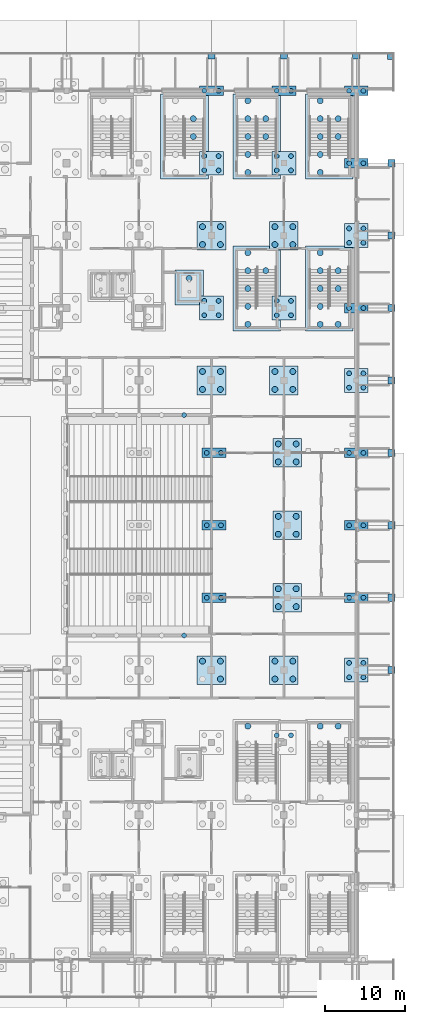
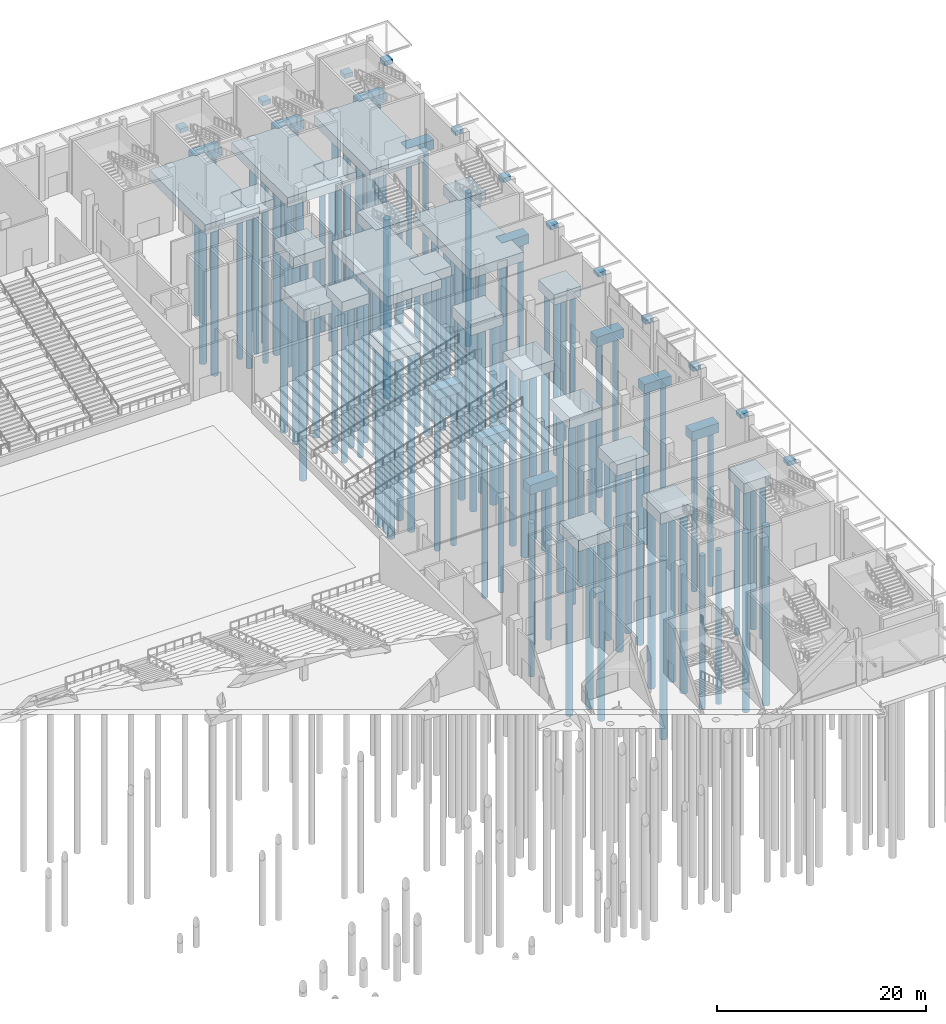
# One storey, part 6 of 129: 123 piles, 45 footings.
"""IFC4 building model written with IfcOpenShell, lengths in metres."""

from ifc_helpers import new_model, si_unit, direction, frame, origin, origin_2d, place, context, subcontext, project, spatial, polyline, rectangle, circle, outline, extrude, material, material_profile, profile_set, type_object, element, save


model = new_model("IFC4")

# Units and contexts
model_context = context("Model", 3, precision=1e-05, world=origin(), true_north=direction((0.0, 1.0)))
body_context = subcontext(model_context, "Body", "Model", "MODEL_VIEW")
ifc_project = project(units=[si_unit("LENGTHUNIT", "METRE"), si_unit("AREAUNIT", "SQUARE_METRE"), si_unit("VOLUMEUNIT", "CUBIC_METRE"), si_unit("PLANEANGLEUNIT", "RADIAN"), si_unit("MASSUNIT", "GRAM", prefix="KILO")], contexts=[model_context])

# Site, building, storey
site_placement = place(None, origin())
site = spatial("IfcSite", under=ifc_project, at=site_placement, CompositionType="ELEMENT")
building_placement = place(site_placement, origin())
building = spatial("IfcBuilding", under=site, at=building_placement, Name="Shirokan Park Arena", CompositionType="ELEMENT")
storey_placement = place(building_placement, origin())
storey = spatial("IfcBuildingStorey", under=building, at=storey_placement, Name="L00", CompositionType="ELEMENT", Elevation=0.0)

# Piles
ifc_material = material(Name="Concrete C30", Category="concrete")
ifc_material_profile_1 = material_profile(ifc_material, circle(Radius=0.300048828125, at=origin_2d()), Name="D600")
ifc_profile_set_1 = profile_set([ifc_material_profile_1], Name="Concrete C30")
pile_type_1 = type_object("IfcPileType", Name="Bored pile 600", PredefinedType="BORED", material=ifc_profile_set_1)
for number, where, z_axis, x_axis, name in (
    (1, (126.800048828125, 45.5, -1.5), (0.0, 0.0, -1.0), (1.0, 0.0, 0.0), "Bored pile 15F 1"),
    (2, (128.60009765625, 45.5, -1.5), (0.0, 0.0, -1.0), (1.0, 0.0, 0.0), "Bored pile 15F 2"),
    (3, (126.800048828125, 54.60009765625, -1.5), (0.0, 0.0, -1.0), (1.0, 0.0, 0.0), "Bored pile 15G 1"),
    (4, (128.60009765625, 54.60009765625, -1.5), (0.0, 0.0, -1.0), (1.0, 0.0, 0.0), "Bored pile 15G 2"),
    (5, (126.800048828125, 63.699951171875, -1.5), (0.0, 0.0, -1.0), (1.0, 0.0, 0.0), "Bored pile 15H 1"),
    (6, (128.60009765625, 63.699951171875, -1.5), (0.0, 0.0, -1.0), (1.0, 0.0, 0.0), "Bored pile 15H 2"),
    (7, (126.5, 81.0, -1.60009765625), (0.0, 0.0, -1.0), (1.0, 0.0, 0.0), "Bored pile 15K 1"),
    (8, (126.5, 82.800048828125, -1.60009765625), (0.0, 0.0, -1.0), (1.0, 0.0, 0.0), "Bored pile 15K 2"),
    (9, (128.300048828125, 81.0, -1.60009765625), (0.0, 0.0, -1.0), (1.0, 0.0, 0.0), "Bored pile 15K 3"),
    (10, (128.300048828125, 82.800048828125, -1.60009765625), (0.0, 0.0, -1.0), (1.0, 0.0, 0.0), "Bored pile 15K 4"),
    (11, (126.5, 99.199951171875, -1.60009765625), (0.0, 0.0, -1.0), (1.0, 0.0, 0.0), "Bored pile 15M 1"),
    (12, (126.5, 101.0, -1.60009765625), (0.0, 0.0, -1.0), (1.0, 0.0, 0.0), "Bored pile 15M 2"),
    (13, (128.300048828125, 99.199951171875, -1.60009765625), (0.0, 0.0, -1.0), (1.0, 0.0, 0.0), "Bored pile 15M 3"),
    (14, (128.300048828125, 101.0, -1.60009765625), (0.0, 0.0, -1.0), (1.0, 0.0, 0.0), "Bored pile 15M 4"),
    (15, (126.5, 109.199951171875, -1.5), (0.0, 0.0, -1.0), (1.0, 0.0, 0.0), "Bored pile 15N 1"),
    (16, (128.300048828125, 109.199951171875, -1.5), (0.0, 0.0, -1.0), (1.0, 0.0, 0.0), "Bored pile 15N 2"),
    (17, (135.60009765625, 28.199951171875, -1.60009765625), (0.0, 0.0, -1.0), (1.0, 0.0, 0.0), "Bored pile 16D 2"),
    (18, (137.39990234375, 28.199951171875, -1.60009765625), (0.0, 0.0, -1.0), (1.0, 0.0, 0.0), "Bored pile 16D 4"),
    (19, (135.60009765625, 81.0, -1.60009765625), (0.0, 0.0, -1.0), (1.0, 0.0, 0.0), "Bored pile 16K 1"),
    (20, (135.60009765625, 82.800048828125, -1.60009765625), (0.0, 0.0, -1.0), (1.0, 0.0, 0.0), "Bored pile 16K 2"),
    (21, (137.39990234375, 81.0, -1.60009765625), (0.0, 0.0, -1.0), (1.0, 0.0, 0.0), "Bored pile 16K 3"),
    (22, (137.39990234375, 82.800048828125, -1.60009765625), (0.0, 0.0, -1.0), (1.0, 0.0, 0.0), "Bored pile 16K 4"),
    (23, (135.60009765625, 99.199951171875, -1.60009765625), (0.0, 0.0, -1.0), (1.0, 0.0, 0.0), "Bored pile 16M 1"),
    (24, (135.60009765625, 101.0, -1.60009765625), (0.0, 0.0, -1.0), (1.0, 0.0, 0.0), "Bored pile 16M 2"),
    (25, (137.39990234375, 99.199951171875, -1.60009765625), (0.0, 0.0, -1.0), (1.0, 0.0, 0.0), "Bored pile 16M 3"),
    (26, (137.39990234375, 101.0, -1.60009765625), (0.0, 0.0, -1.0), (1.0, 0.0, 0.0), "Bored pile 16M 4"),
    (27, (135.60009765625, 109.199951171875, -1.5), (0.0, 0.0, -1.0), (1.0, 0.0, 0.0), "Bored pile 16N 1"),
    (28, (137.39990234375, 109.199951171875, -1.5), (0.0, 0.0, -1.0), (1.0, 0.0, 0.0), "Bored pile 16N 2"),
    (29, (144.699951171875, 35.5, -1.60009765625), (0.0, 0.0, -1.0), (1.0, 0.0, 0.0), "Bored pile 17E 1"),
    (30, (144.699951171875, 37.300048828125, -1.60009765625), (0.0, 0.0, -1.0), (1.0, 0.0, 0.0), "Bored pile 17E 2"),
    (31, (146.5, 35.5, -1.60009765625), (0.0, 0.0, -1.0), (1.0, 0.0, 0.0), "Bored pile 17E 3"),
    (32, (146.5, 37.300048828125, -1.60009765625), (0.0, 0.0, -1.0), (1.0, 0.0, 0.0), "Bored pile 17E 4"),
    (33, (144.699951171875, 45.5, -1.5), (0.0, 0.0, -1.0), (1.0, 0.0, 0.0), "Bored pile 17F 1"),
    (34, (146.5, 45.5, -1.5), (0.0, 0.0, -1.0), (1.0, 0.0, 0.0), "Bored pile 17F 2"),
    (35, (144.699951171875, 54.60009765625, -1.5), (0.0, 0.0, -1.0), (1.0, 0.0, 0.0), "Bored pile 17G 1"),
    (36, (146.5, 54.60009765625, -1.5), (0.0, 0.0, -1.0), (1.0, 0.0, 0.0), "Bored pile 17G 2"),
    (37, (144.699951171875, 63.699951171875, -1.5), (0.0, 0.0, -1.0), (1.0, 0.0, 0.0), "Bored pile 17H 1"),
    (38, (146.5, 63.699951171875, -1.5), (0.0, 0.0, -1.0), (1.0, 0.0, 0.0), "Bored pile 17H 2"),
    (39, (144.699951171875, 71.89990234375, -1.60009765625), (0.0, 0.0, -1.0), (1.0, 0.0, 0.0), "Bored pile 17J 1"),
    (40, (144.699951171875, 73.699951171875, -1.60009765625), (0.0, 0.0, -1.0), (1.0, 0.0, 0.0), "Bored pile 17J 2"),
    (41, (146.5, 71.89990234375, -1.60009765625), (0.0, 0.0, -1.0), (1.0, 0.0, 0.0), "Bored pile 17J 3"),
    (42, (146.5, 73.699951171875, -1.60009765625), (0.0, 0.0, -1.0), (1.0, 0.0, 0.0), "Bored pile 17J 4"),
    (43, (144.699951171875, 81.89990234375, -1.5), (0.0, 0.0, -1.0), (1.0, 0.0, 0.0), "Bored pile 17K 1"),
    (44, (146.5, 81.89990234375, -1.5), (0.0, 0.0, -1.0), (1.0, 0.0, 0.0), "Bored pile 17K 2"),
    (45, (144.699951171875, 90.10009765625, -1.60009765625), (0.0, 0.0, -1.0), (1.0, 0.0, 0.0), "Bored pile 17L 1"),
    (46, (144.699951171875, 91.89990234375, -1.60009765625), (0.0, 0.0, -1.0), (1.0, 0.0, 0.0), "Bored pile 17L 2"),
    (47, (146.5, 90.10009765625, -1.60009765625), (0.0, 0.0, -1.0), (1.0, 0.0, 0.0), "Bored pile 17L 3"),
    (48, (146.5, 91.89990234375, -1.60009765625), (0.0, 0.0, -1.0), (1.0, 0.0, 0.0), "Bored pile 17L 4"),
    (49, (144.699951171875, 100.10009765625, -1.5), (0.0, 0.0, -1.0), (1.0, 0.0, 0.0), "Bored pile 17M 1"),
    (50, (146.5, 100.10009765625, -1.5), (0.0, 0.0, -1.0), (1.0, 0.0, 0.0), "Bored pile 17M 2"),
    (51, (144.699951171875, 109.199951171875, -1.5), (0.0, 0.0, -1.0), (1.0, 0.0, 0.0), "Bored pile 17N 1"),
    (52, (146.5, 109.199951171875, -1.5), (0.0, 0.0, -1.0), (1.0, 0.0, 0.0), "Bored pile 17N 2"),
    (53, (123.966552734375, 40.75, -1.300048828125), (0.0, 0.0, -1.0), (1.0, 0.0, 0.0), "Bored pile flank wall E1 5"),
    (54, (123.966552734375, 68.449951171875, -1.300048828125), (0.0, 0.0, -1.0), (1.0, 0.0, 0.0), "Bored pile flank wall E2 5"),
):
    element("IfcPile", number, at=place(storey_placement, frame(where, z_axis=z_axis, x_axis=x_axis)), inside=storey, type_object=pile_type_1, Name=name, PredefinedType="BORED", context=body_context, shape_type="SweptSolid", body=[
        extrude(circle(Radius=0.300048828125, at=origin_2d()), origin(), (0.0, 0.0, 1.0), 18.0),
    ])
ifc_material_profile_2 = material_profile(ifc_material, circle(Radius=0.375, at=origin_2d()), Name="D750")
ifc_profile_set_2 = profile_set([ifc_material_profile_2], Name="Concrete C30")
pile_type_2 = type_object("IfcPileType", Name="Bored pile 750", PredefinedType="BORED", material=ifc_profile_set_2)
for number, where, z_axis, x_axis, name in (
    (55, (126.27490234375, 37.52490234375, -1.699951171875), (0.0, 0.0, -1.0), (1.0, 0.0, 0.0), "Bored pile 15E 2"),
    (56, (128.52490234375, 35.27490234375, -1.699951171875), (0.0, 0.0, -1.0), (1.0, 0.0, 0.0), "Bored pile 15E 3"),
    (57, (128.52490234375, 37.52490234375, -1.699951171875), (0.0, 0.0, -1.0), (1.0, 0.0, 0.0), "Bored pile 15E 4"),
    (58, (126.27490234375, 71.675048828125, -1.699951171875), (0.0, 0.0, -1.0), (1.0, 0.0, 0.0), "Bored pile 15J 1"),
    (59, (126.27490234375, 73.925048828125, -1.699951171875), (0.0, 0.0, -1.0), (1.0, 0.0, 0.0), "Bored pile 15J 2"),
    (60, (128.52490234375, 71.675048828125, -1.699951171875), (0.0, 0.0, -1.0), (1.0, 0.0, 0.0), "Bored pile 15J 3"),
    (61, (128.52490234375, 73.925048828125, -1.699951171875), (0.0, 0.0, -1.0), (1.0, 0.0, 0.0), "Bored pile 15J 4"),
    (62, (126.27490234375, 89.875, -1.699951171875), (0.0, 0.0, -1.0), (1.0, 0.0, 0.0), "Bored pile 15L 1"),
    (63, (126.27490234375, 92.125, -1.699951171875), (0.0, 0.0, -1.0), (1.0, 0.0, 0.0), "Bored pile 15L 2"),
    (64, (128.52490234375, 89.875, -1.699951171875), (0.0, 0.0, -1.0), (1.0, 0.0, 0.0), "Bored pile 15L 3"),
    (65, (128.52490234375, 92.125, -1.699951171875), (0.0, 0.0, -1.0), (1.0, 0.0, 0.0), "Bored pile 15L 4"),
    (66, (135.375, 35.27490234375, -1.699951171875), (0.0, 0.0, -1.0), (1.0, 0.0, 0.0), "Bored pile 16E 1"),
    (67, (135.375, 37.52490234375, -1.699951171875), (0.0, 0.0, -1.0), (1.0, 0.0, 0.0), "Bored pile 16E 2"),
    (68, (137.625, 35.27490234375, -1.699951171875), (0.0, 0.0, -1.0), (1.0, 0.0, 0.0), "Bored pile 16E 3"),
    (69, (137.625, 37.52490234375, -1.699951171875), (0.0, 0.0, -1.0), (1.0, 0.0, 0.0), "Bored pile 16E 4"),
    (70, (135.800048828125, 44.375, -1.699951171875), (0.0, 0.0, -1.0), (1.0, 0.0, 0.0), "Bored pile 16F 1"),
    (71, (135.800048828125, 46.625, -1.699951171875), (0.0, 0.0, -1.0), (1.0, 0.0, 0.0), "Bored pile 16F 2"),
    (72, (138.050048828125, 44.375, -1.699951171875), (0.0, 0.0, -1.0), (1.0, 0.0, 0.0), "Bored pile 16F 3"),
    (73, (138.050048828125, 46.625, -1.699951171875), (0.0, 0.0, -1.0), (1.0, 0.0, 0.0), "Bored pile 16F 4"),
    (74, (135.800048828125, 53.47509765625, -1.699951171875), (0.0, 0.0, -1.0), (1.0, 0.0, 0.0), "Bored pile 16G 1"),
    (75, (135.800048828125, 55.72509765625, -1.699951171875), (0.0, 0.0, -1.0), (1.0, 0.0, 0.0), "Bored pile 16G 2"),
    (76, (138.050048828125, 53.47509765625, -1.699951171875), (0.0, 0.0, -1.0), (1.0, 0.0, 0.0), "Bored pile 16G 3"),
    (77, (138.050048828125, 55.72509765625, -1.699951171875), (0.0, 0.0, -1.0), (1.0, 0.0, 0.0), "Bored pile 16G 4"),
    (78, (135.800048828125, 62.574951171875, -1.699951171875), (0.0, 0.0, -1.0), (1.0, 0.0, 0.0), "Bored pile 16H 1"),
    (79, (135.800048828125, 64.824951171875, -1.699951171875), (0.0, 0.0, -1.0), (1.0, 0.0, 0.0), "Bored pile 16H 2"),
    (80, (138.050048828125, 62.574951171875, -1.699951171875), (0.0, 0.0, -1.0), (1.0, 0.0, 0.0), "Bored pile 16H 3"),
    (81, (138.050048828125, 64.824951171875, -1.699951171875), (0.0, 0.0, -1.0), (1.0, 0.0, 0.0), "Bored pile 16H 4"),
    (82, (135.375, 71.675048828125, -1.699951171875), (0.0, 0.0, -1.0), (1.0, 0.0, 0.0), "Bored pile 16J 1"),
    (83, (135.375, 73.925048828125, -1.699951171875), (0.0, 0.0, -1.0), (1.0, 0.0, 0.0), "Bored pile 16J 2"),
    (84, (137.625, 71.675048828125, -1.699951171875), (0.0, 0.0, -1.0), (1.0, 0.0, 0.0), "Bored pile 16J 3"),
    (85, (137.625, 73.925048828125, -1.699951171875), (0.0, 0.0, -1.0), (1.0, 0.0, 0.0), "Bored pile 16J 4"),
    (86, (135.375, 89.875, -1.699951171875), (0.0, 0.0, -1.0), (1.0, 0.0, 0.0), "Bored pile 16L 1"),
    (87, (135.375, 92.125, -1.699951171875), (0.0, 0.0, -1.0), (1.0, 0.0, 0.0), "Bored pile 16L 2"),
    (88, (137.625, 89.875, -1.699951171875), (0.0, 0.0, -1.0), (1.0, 0.0, 0.0), "Bored pile 16L 3"),
    (89, (137.625, 92.125, -1.699951171875), (0.0, 0.0, -1.0), (1.0, 0.0, 0.0), "Bored pile 16L 4"),
    (90, (124.60009765625, 85.625, -2.800048828125), (0.0, 0.0, -1.0), (1.0, 0.0, 0.0), "Bored pile Service Lift 3 1"),
    (91, (141.074951171875, 29.35009765625, -1.5), (0.0, 0.0, -1.0), (1.0, 0.0, 0.0), "Bored pile Exit Stair 2.E 5"),
    (92, (143.324951171875, 29.35009765625, -1.5), (0.0, 0.0, -1.0), (1.0, 0.0, 0.0), "Bored pile Exit Stair 2.E 8"),
    (93, (131.97509765625, 29.35009765625, -1.5), (0.0, 0.0, -1.0), (1.0, 0.0, 0.0), "Bored pile Exit Stair 2.F 5"),
    (94, (141.074951171875, 98.949951171875, -1.5), (0.0, 0.0, -1.0), (1.0, 0.0, 0.0), "Bored pile Exit Stair 3.A 1"),
    (95, (141.074951171875, 101.199951171875, -1.5), (0.0, 0.0, -1.0), (1.0, 0.0, 0.0), "Bored pile Exit Stair 3.A 2"),
    (96, (141.074951171875, 103.449951171875, -1.5), (0.0, 0.0, -1.0), (1.0, 0.0, 0.0), "Bored pile Exit Stair 3.A 3"),
    (97, (141.074951171875, 105.699951171875, -1.5), (0.0, 0.0, -1.0), (1.0, 0.0, 0.0), "Bored pile Exit Stair 3.A 4"),
    (98, (141.074951171875, 107.949951171875, -1.5), (0.0, 0.0, -1.0), (1.0, 0.0, 0.0), "Bored pile Exit Stair 3.A 5"),
    (99, (143.324951171875, 103.449951171875, -1.5), (0.0, 0.0, -1.0), (1.0, 0.0, 0.0), "Bored pile Exit Stair 3.A 6"),
    (100, (143.324951171875, 105.699951171875, -1.5), (0.0, 0.0, -1.0), (1.0, 0.0, 0.0), "Bored pile Exit Stair 3.A 7"),
    (101, (131.97509765625, 98.949951171875, -1.5), (0.0, 0.0, -1.0), (1.0, 0.0, 0.0), "Bored pile Exit Stair 3.B 1"),
    (102, (131.97509765625, 101.199951171875, -1.5), (0.0, 0.0, -1.0), (1.0, 0.0, 0.0), "Bored pile Exit Stair 3.B 2"),
    (103, (131.97509765625, 103.449951171875, -1.5), (0.0, 0.0, -1.0), (1.0, 0.0, 0.0), "Bored pile Exit Stair 3.B 3"),
    (104, (131.97509765625, 105.699951171875, -1.5), (0.0, 0.0, -1.0), (1.0, 0.0, 0.0), "Bored pile Exit Stair 3.B 4"),
    (105, (131.97509765625, 107.949951171875, -1.5), (0.0, 0.0, -1.0), (1.0, 0.0, 0.0), "Bored pile Exit Stair 3.B 5"),
    (106, (134.22509765625, 103.449951171875, -1.5), (0.0, 0.0, -1.0), (1.0, 0.0, 0.0), "Bored pile Exit Stair 3.B 6"),
    (107, (134.22509765625, 105.699951171875, -1.5), (0.0, 0.0, -1.0), (1.0, 0.0, 0.0), "Bored pile Exit Stair 3.B 7"),
    (108, (125.125, 103.449951171875, -1.5), (0.0, 0.0, -1.0), (1.0, 0.0, 0.0), "Bored pile Exit Stair 3.C 6"),
    (109, (125.125, 105.699951171875, -1.5), (0.0, 0.0, -1.0), (1.0, 0.0, 0.0), "Bored pile Exit Stair 3.C 7"),
    (110, (141.074951171875, 79.85009765625, -1.5), (0.0, 0.0, -1.0), (1.0, 0.0, 0.0), "Bored pile Exit Stair 3.E 1"),
    (111, (141.074951171875, 82.10009765625, -1.5), (0.0, 0.0, -1.0), (1.0, 0.0, 0.0), "Bored pile Exit Stair 3.E 2"),
    (112, (141.074951171875, 84.35009765625, -1.5), (0.0, 0.0, -1.0), (1.0, 0.0, 0.0), "Bored pile Exit Stair 3.E 3"),
    (113, (141.074951171875, 86.60009765625, -1.5), (0.0, 0.0, -1.0), (1.0, 0.0, 0.0), "Bored pile Exit Stair 3.E 4"),
    (114, (141.074951171875, 88.85009765625, -1.5), (0.0, 0.0, -1.0), (1.0, 0.0, 0.0), "Bored pile Exit Stair 3.E 5"),
    (115, (143.324951171875, 79.85009765625, -1.5), (0.0, 0.0, -1.0), (1.0, 0.0, 0.0), "Bored pile Exit Stair 3.E 6"),
    (116, (143.324951171875, 84.35009765625, -1.5), (0.0, 0.0, -1.0), (1.0, 0.0, 0.0), "Bored pile Exit Stair 3.E 7"),
    (117, (143.324951171875, 86.60009765625, -1.5), (0.0, 0.0, -1.0), (1.0, 0.0, 0.0), "Bored pile Exit Stair 3.E 8"),
    (118, (131.97509765625, 79.85009765625, -1.5), (0.0, 0.0, -1.0), (1.0, 0.0, 0.0), "Bored pile Exit Stair 3.F 1"),
    (119, (131.97509765625, 82.10009765625, -1.5), (0.0, 0.0, -1.0), (1.0, 0.0, 0.0), "Bored pile Exit Stair 3.F 2"),
    (120, (131.97509765625, 84.35009765625, -1.5), (0.0, 0.0, -1.0), (1.0, 0.0, 0.0), "Bored pile Exit Stair 3.F 3"),
    (121, (131.97509765625, 86.60009765625, -1.5), (0.0, 0.0, -1.0), (1.0, 0.0, 0.0), "Bored pile Exit Stair 3.F 4"),
    (122, (131.97509765625, 88.85009765625, -1.5), (0.0, 0.0, -1.0), (1.0, 0.0, 0.0), "Bored pile Exit Stair 3.F 5"),
    (123, (134.22509765625, 86.60009765625, -1.5), (0.0, 0.0, -1.0), (1.0, 0.0, 0.0), "Bored pile Exit Stair 3.F 6"),
):
    element("IfcPile", number, at=place(storey_placement, frame(where, z_axis=z_axis, x_axis=x_axis)), inside=storey, type_object=pile_type_2, Name=name, PredefinedType="BORED", context=body_context, shape_type="SweptSolid", body=[
        extrude(circle(Radius=0.375, at=origin_2d()), origin(), (0.0, 0.0, 1.0), 21.0),
    ])

# Footings
footing_type_1 = type_object("IfcFootingType", Name="Pad footing 900x900x500", PredefinedType="PAD_FOOTING", material=ifc_material)
for number, where, z_axis, x_axis, name in (
    (124, (150.02490234375, 36.39990234375, -0.89990234375), (0.0, 0.0, 1.0), (1.0, 0.0, 0.0), "Pad footing east grid 5"),
    (125, (150.02490234375, 45.5, -0.89990234375), (0.0, 0.0, 1.0), (1.0, 0.0, 0.0), "Pad footing east grid 6"),
    (126, (150.02490234375, 54.60009765625, -0.89990234375), (0.0, 0.0, 1.0), (1.0, 0.0, 0.0), "Pad footing east grid 7"),
    (127, (150.02490234375, 63.699951171875, -0.89990234375), (0.0, 0.0, 1.0), (1.0, 0.0, 0.0), "Pad footing east grid 8"),
    (128, (150.02490234375, 72.800048828125, -0.89990234375), (0.0, 0.0, 1.0), (1.0, 0.0, 0.0), "Pad footing east grid 9"),
    (129, (150.02490234375, 81.89990234375, -0.89990234375), (0.0, 0.0, 1.0), (1.0, 0.0, 0.0), "Pad footing east grid 10"),
    (130, (150.02490234375, 91.0, -0.89990234375), (0.0, 0.0, 1.0), (1.0, 0.0, 0.0), "Pad footing east grid 11"),
    (131, (150.02490234375, 100.10009765625, -0.89990234375), (0.0, 0.0, 1.0), (1.0, 0.0, 0.0), "Pad footing east grid 12"),
    (132, (145.60009765625, 113.625, -0.89990234375), (0.0, 0.0, 1.0), (1.0, 0.0, 0.0), "Pad footing north grid 1"),
    (133, (136.5, 113.625, -0.89990234375), (0.0, 0.0, 1.0), (1.0, 0.0, 0.0), "Pad footing north grid 2"),
    (134, (127.39990234375, 113.625, -0.89990234375), (0.0, 0.0, 1.0), (1.0, 0.0, 0.0), "Pad footing north grid 3"),
    (135, (149.97509765625, 113.574951171875, -0.89990234375), (0.0, 0.0, 1.0), (1.0, 0.0, 0.0), "Pad footing NE corner"),
):
    element("IfcFooting", number, at=place(storey_placement, frame(where, z_axis=z_axis, x_axis=x_axis)), inside=storey, type_object=footing_type_1, Name=name, PredefinedType="PAD_FOOTING", context=body_context, shape_type="SweptSolid", body=[
        extrude(rectangle(XDim=0.89990234375, YDim=0.89990234375, at=origin_2d()), origin(), (0.0, 0.0, 1.0), 0.5),
    ])
footing_type_2 = type_object("IfcFootingType", Name="Pile cap 2-pile 3000x1200x1100", PredefinedType="PILE_CAP", material=ifc_material)
for number, where, z_axis, x_axis, name in (
    (136, (127.699951171875, 45.5, -1.5), (0.0, 0.0, 1.0), (1.0, 0.0, 0.0), "Pile cap 15F"),
    (137, (127.699951171875, 54.60009765625, -1.5), (0.0, 0.0, 1.0), (1.0, 0.0, 0.0), "Pile cap 15G"),
    (138, (127.699951171875, 63.699951171875, -1.5), (0.0, 0.0, 1.0), (1.0, 0.0, 0.0), "Pile cap 15H"),
    (139, (127.39990234375, 109.199951171875, -1.5), (0.0, 0.0, 1.0), (1.0, 0.0, 0.0), "Pile cap 15N"),
    (140, (136.5, 109.199951171875, -1.5), (0.0, 0.0, 1.0), (1.0, 0.0, 0.0), "Pile cap 16N"),
    (141, (145.60009765625, 45.5, -1.5), (0.0, 0.0, 1.0), (1.0, 0.0, 0.0), "Pile cap 17F"),
    (142, (145.60009765625, 54.60009765625, -1.5), (0.0, 0.0, 1.0), (1.0, 0.0, 0.0), "Pile cap 17G"),
    (143, (145.60009765625, 63.699951171875, -1.5), (0.0, 0.0, 1.0), (1.0, 0.0, 0.0), "Pile cap 17H"),
    (144, (145.60009765625, 81.89990234375, -1.5), (0.0, 0.0, 1.0), (1.0, 0.0, 0.0), "Pile cap 17K"),
    (145, (145.60009765625, 100.10009765625, -1.5), (0.0, 0.0, 1.0), (1.0, 0.0, 0.0), "Pile cap 17M"),
    (146, (145.60009765625, 109.199951171875, -1.5), (0.0, 0.0, 1.0), (1.0, 0.0, 0.0), "Pile cap 17N"),
):
    element("IfcFooting", number, at=place(storey_placement, frame(where, z_axis=z_axis, x_axis=x_axis)), inside=storey, type_object=footing_type_2, Name=name, PredefinedType="PILE_CAP", context=body_context, shape_type="SweptSolid", body=[
        extrude(rectangle(XDim=3.0, YDim=1.199951171875, at=origin_2d()), origin(), (0.0, 0.0, 1.0), 1.10009765625),
    ])
footing_type_3 = type_object("IfcFootingType", Name="Pile cap 4-pile 3000x3000x1200", PredefinedType="PILE_CAP", material=ifc_material)
for number, where, z_axis, x_axis, name in (
    (147, (127.39990234375, 81.89990234375, -1.60009765625), (0.0, 0.0, 1.0), (1.0, 0.0, 0.0), "Pile cap 15K"),
    (148, (127.39990234375, 100.10009765625, -1.60009765625), (0.0, 0.0, 1.0), (1.0, 0.0, 0.0), "Pile cap 15M"),
    (149, (136.5, 81.89990234375, -1.60009765625), (0.0, 0.0, 1.0), (1.0, 0.0, 0.0), "Pile cap 16K"),
    (150, (136.5, 100.10009765625, -1.60009765625), (0.0, 0.0, 1.0), (1.0, 0.0, 0.0), "Pile cap 16M"),
    (151, (145.60009765625, 36.39990234375, -1.60009765625), (0.0, 0.0, 1.0), (1.0, 0.0, 0.0), "Pile cap 17E"),
    (152, (145.60009765625, 72.800048828125, -1.60009765625), (0.0, 0.0, 1.0), (1.0, 0.0, 0.0), "Pile cap 17J"),
    (153, (145.60009765625, 91.0, -1.60009765625), (0.0, 0.0, 1.0), (1.0, 0.0, 0.0), "Pile cap 17L"),
):
    element("IfcFooting", number, at=place(storey_placement, frame(where, z_axis=z_axis, x_axis=x_axis)), inside=storey, type_object=footing_type_3, Name=name, PredefinedType="PILE_CAP", context=body_context, shape_type="SweptSolid", body=[
        extrude(rectangle(XDim=3.0, YDim=3.0, at=origin_2d()), origin(), (0.0, 0.0, 1.0), 1.199951171875),
    ])
footing_type_4 = type_object("IfcFootingType", Name="Pile cap 4-pile 3600x3600x1300", PredefinedType="PILE_CAP", material=ifc_material)
for number, where, z_axis, x_axis, name in (
    (154, (127.39990234375, 36.39990234375, -1.7001953125), (0.0, 0.0, 1.0), (1.0, 0.0, 0.0), "Pile cap 15E"),
    (155, (127.39990234375, 72.800048828125, -1.7001953125), (0.0, 0.0, 1.0), (1.0, 0.0, 0.0), "Pile cap 15J"),
    (156, (127.39990234375, 91.0, -1.7001953125), (0.0, 0.0, 1.0), (1.0, 0.0, 0.0), "Pile cap 15L"),
    (157, (136.5, 36.39990234375, -1.7001953125), (0.0, 0.0, 1.0), (1.0, 0.0, 0.0), "Pile cap 16E"),
    (158, (136.925048828125, 45.5, -1.7001953125), (0.0, 0.0, 1.0), (1.0, 0.0, 0.0), "Pile cap 16F"),
    (159, (136.925048828125, 54.60009765625, -1.7001953125), (0.0, 0.0, 1.0), (1.0, 0.0, 0.0), "Pile cap 16G"),
    (160, (136.925048828125, 63.699951171875, -1.7001953125), (0.0, 0.0, 1.0), (1.0, 0.0, 0.0), "Pile cap 16H"),
    (161, (136.5, 72.800048828125, -1.7001953125), (0.0, 0.0, 1.0), (1.0, 0.0, 0.0), "Pile cap 16J"),
    (162, (136.5, 91.0, -1.7001953125), (0.0, 0.0, 1.0), (1.0, 0.0, 0.0), "Pile cap 16L"),
):
    element("IfcFooting", number, at=place(storey_placement, frame(where, z_axis=z_axis, x_axis=x_axis)), inside=storey, type_object=footing_type_4, Name=name, PredefinedType="PILE_CAP", context=body_context, shape_type="SweptSolid", body=[
        extrude(rectangle(XDim=3.60009765625, YDim=3.60009765625, at=origin_2d()), origin(), (0.0, 0.0, 1.0), 1.300048828125),
    ])
footing_type_5 = type_object("IfcFootingType", Name="Shaft raft 1100", PredefinedType="PILE_CAP", material=ifc_material)
footing_1_placement = place(storey_placement, frame((0.0, 0.0, -1.5)))
element("IfcFooting", 163, at=footing_1_placement, inside=storey, type_object=footing_type_5, Name="Shaft raft Exit Stair 3.A", PredefinedType="PILE_CAP", context=body_context, shape_type="SweptSolid", body=[
    extrude(outline(polyline([(145.199951171875, 98.10009765625), (139.199951171875, 98.10009765625), (139.199951171875, 108.800048828125), (144.10009765625, 108.800048828125), (144.10009765625, 108.60009765625), (145.199951171875, 108.60009765625), (145.199951171875, 100.699951171875), (144.10009765625, 100.699951171875), (144.10009765625, 99.5), (145.199951171875, 99.5), (145.199951171875, 98.10009765625)])), origin(), (0.0, 0.0, 1.0), 1.10009765625),
])
footing_2_placement = place(storey_placement, frame((0.0, 0.0, -1.5)))
element("IfcFooting", 164, at=footing_2_placement, inside=storey, type_object=footing_type_5, Name="Shaft raft Exit Stair 3.B", PredefinedType="PILE_CAP", context=body_context, shape_type="SweptSolid", body=[
    extrude(outline(polyline([(130.10009765625, 98.10009765625), (130.10009765625, 108.800048828125), (135.0, 108.800048828125), (135.0, 108.60009765625), (136.10009765625, 108.60009765625), (136.10009765625, 101.60009765625), (135.0, 101.60009765625), (135.0, 98.60009765625), (136.10009765625, 98.60009765625), (136.10009765625, 98.10009765625), (130.10009765625, 98.10009765625)])), origin(), (0.0, 0.0, 1.0), 1.10009765625),
])
footing_3_placement = place(storey_placement, frame((0.0, 0.0, -1.5)))
element("IfcFooting", 165, at=footing_3_placement, inside=storey, type_object=footing_type_5, Name="Shaft raft Exit Stair 3.C", PredefinedType="PILE_CAP", context=body_context, shape_type="SweptSolid", body=[
    extrude(outline(polyline([(125.89990234375, 108.60009765625), (127.0, 108.60009765625), (127.0, 101.60009765625), (125.89990234375, 101.60009765625), (125.89990234375, 98.60009765625), (127.0, 98.60009765625), (127.0, 98.10009765625), (121.0, 98.10009765625), (121.0, 108.800048828125), (125.89990234375, 108.800048828125), (125.89990234375, 108.60009765625)])), origin(), (0.0, 0.0, 1.0), 1.10009765625),
])
footing_4_placement = place(storey_placement, frame((0.0, 0.0, -1.5)))
element("IfcFooting", 166, at=footing_4_placement, inside=storey, type_object=footing_type_5, Name="Shaft raft Exit Stair 3.E", PredefinedType="PILE_CAP", context=body_context, shape_type="SweptSolid", body=[
    extrude(outline(polyline([(139.199951171875, 89.699951171875), (144.10009765625, 89.699951171875), (144.10009765625, 89.5), (145.199951171875, 89.5), (145.199951171875, 82.5), (144.10009765625, 82.5), (144.10009765625, 81.300048828125), (145.199951171875, 81.300048828125), (145.199951171875, 79.0), (139.199951171875, 79.0), (139.199951171875, 89.699951171875)])), origin(), (0.0, 0.0, 1.0), 1.10009765625),
])
footing_5_placement = place(storey_placement, frame((0.0, 0.0, -1.5)))
element("IfcFooting", 167, at=footing_5_placement, inside=storey, type_object=footing_type_5, Name="Shaft raft Exit Stair 3.F", PredefinedType="PILE_CAP", context=body_context, shape_type="SweptSolid", body=[
    extrude(outline(polyline([(130.10009765625, 79.0), (130.10009765625, 89.699951171875), (134.699951171875, 89.699951171875), (134.699951171875, 89.199951171875), (136.10009765625, 89.199951171875), (136.10009765625, 83.39990234375), (135.0, 83.39990234375), (135.0, 80.39990234375), (136.10009765625, 80.39990234375), (136.10009765625, 79.0), (130.10009765625, 79.0)])), origin(), (0.0, 0.0, 1.0), 1.10009765625),
])
footing_type_6 = type_object("IfcFootingType", Name="Shaft raft 1400", PredefinedType="PILE_CAP", material=ifc_material)
footing_6_placement = place(storey_placement, frame((0.0, 0.0, -2.800048828125)))
element("IfcFooting", 168, at=footing_6_placement, inside=storey, type_object=footing_type_6, Name="Shaft raft Service Lift 3", PredefinedType="PILE_CAP", context=body_context, shape_type="SweptSolid", body=[
    extrude(outline(polyline([(125.89990234375, 83.39990234375), (125.89990234375, 82.300048828125), (122.800048828125, 82.300048828125), (122.800048828125, 86.699951171875), (126.39990234375, 86.699951171875), (126.39990234375, 83.39990234375), (125.89990234375, 83.39990234375)])), origin(), (0.0, 0.0, 1.0), 1.400146484375),
])

save(model, "model.ifc")
